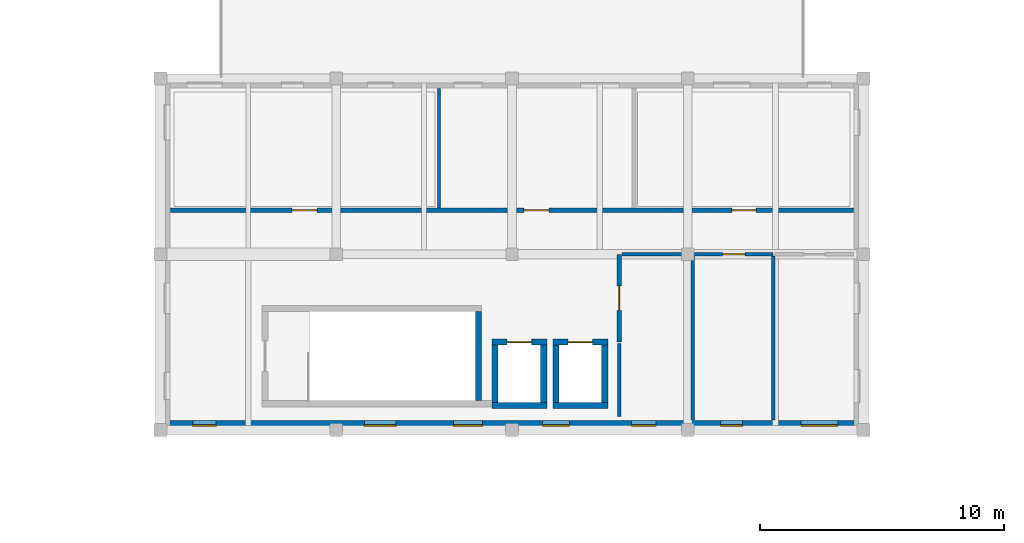
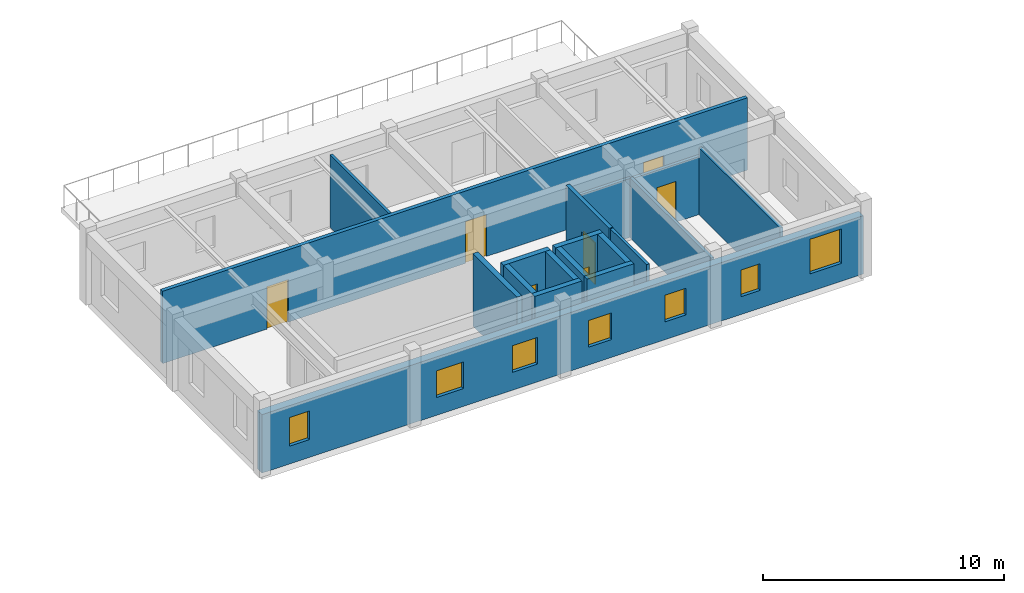
# One storey, part 4 of 12: 18 walls, 7 doors, 7 windows, 14 openings.
"""IFC4 building model written with IfcOpenShell, lengths in metres."""

import ifcopenshell
import ifcopenshell.guid

model = None  # the IFC model being written
_history = None  # IfcOwnerHistory: only IFC2X3 demands one
_inside = {}  # id of a spatial element -> (the spatial element, [elements in it])
_under = {}  # id of a project, library or spatial element -> (it, [spatial elements below it])
_declared = {}  # id of a project -> (the project, [libraries it declares])
_typed = {}  # id of a type object -> (the type object, [elements of that type])
_made_of = {}  # id of a material, layer set ... -> (it, [elements and type objects made of it])


def new_model(schema):
    """Start an empty IFC model of exactly this schema.

    Asked for "IFC4X3", IfcOpenShell would pick the latest addendum, in which some entities
    have other attributes; the version numbers below select the first issue.
    IFC2X3 requires an IfcOwnerHistory on every rooted entity: one is made here for all.
    """
    global model, _history
    if schema == "IFC4X3":
        model = ifcopenshell.file(schema_version=(4, 3, 0, 0))
    else:
        model = ifcopenshell.file(schema=schema)
    _inside.clear()
    _under.clear()
    _declared.clear()
    _typed.clear()
    _made_of.clear()
    _history = None
    if model.schema == "IFC2X3":
        org = make("IfcOrganization", Name="unknown")
        user = make(
            "IfcPersonAndOrganization",
            ThePerson=make("IfcPerson", FamilyName="unknown"),
            TheOrganization=org,
        )
        app = make(
            "IfcApplication",
            ApplicationDeveloper=org,
            Version="unknown",
            ApplicationFullName="unknown",
            ApplicationIdentifier="unknown",
        )
        _history = make(
            "IfcOwnerHistory",
            OwningUser=user,
            OwningApplication=app,
            ChangeAction="ADDED",
            CreationDate=0,
        )
    return model


def make(cls, **values):
    """One entity of the class cls with the attributes given. An attribute that is None is left unset."""
    return model.create_entity(
        cls, **{name: value for name, value in values.items() if value is not None}
    )


def rooted(cls, **values):
    """An entity with a GlobalId (a new one), such as an element, a storey or a relation."""
    return make(cls, GlobalId=ifcopenshell.guid.new(), OwnerHistory=_history, **values)


def si_unit(unit_type, name, prefix=None):
    """IfcSIUnit, for example si_unit("LENGTHUNIT", "METRE", prefix="MILLI")."""
    return make("IfcSIUnit", UnitType=unit_type, Prefix=prefix, Name=name)


def assignment(units):
    """IfcUnitAssignment: the units of a project."""
    return None if units is None else make("IfcUnitAssignment", Units=units)


def point(xyz):
    """IfcCartesianPoint."""
    return None if xyz is None else make("IfcCartesianPoint", Coordinates=xyz)


def direction(xyz):
    """IfcDirection."""
    return None if xyz is None else make("IfcDirection", DirectionRatios=xyz)


def frame(location, z_axis=None, x_axis=None):
    """IfcAxis2Placement3D, a coordinate frame: its origin and axes. An axis left out is left unset."""
    return make(
        "IfcAxis2Placement3D",
        Location=point(location),
        Axis=direction(z_axis),
        RefDirection=direction(x_axis),
    )


def frame_2d(location, x_axis=None):
    """IfcAxis2Placement2D, a coordinate frame in the plane: its origin and x axis."""
    return make(
        "IfcAxis2Placement2D", Location=point(location), RefDirection=direction(x_axis)
    )


def origin():
    """The frame at (0, 0, 0) with its axes left unset."""
    return frame((0.0, 0.0, 0.0))


def place(relative_to, where):
    """IfcLocalPlacement: puts the frame where relative to a parent placement (None: the world)."""
    return make(
        "IfcLocalPlacement", PlacementRelTo=relative_to, RelativePlacement=where
    )


def context(
    kind, dimensions, precision=None, world=None, true_north=None, identifier=None
):
    """IfcGeometricRepresentationContext, for example the 3D "Model" context."""
    return make(
        "IfcGeometricRepresentationContext",
        ContextIdentifier=identifier,
        ContextType=kind,
        CoordinateSpaceDimension=dimensions,
        Precision=precision,
        WorldCoordinateSystem=world,
        TrueNorth=true_north,
    )


def subcontext(parent, identifier, kind, view, scale=None):
    """IfcGeometricRepresentationSubContext, for example "Body" below "Model"."""
    return make(
        "IfcGeometricRepresentationSubContext",
        ContextIdentifier=identifier,
        ContextType=kind,
        ParentContext=parent,
        TargetScale=scale,
        TargetView=view,
    )


def project(units=None, contexts=None):
    """IfcProject with its units and contexts."""
    return rooted(
        "IfcProject",
        Name="project",
        RepresentationContexts=contexts,
        UnitsInContext=assignment(units),
    )


def spatial(cls, under=None, at=None, **own):
    """A site, building, storey or space (cls), placed at a placement, below another one or the project."""
    s = rooted(cls, ObjectPlacement=at, **own)
    if under is not None:
        _under.setdefault(under.id(), (under, []))[1].append(s)
    return s


def profile(cls, at=None, kind="AREA", **sizes):
    """A parametric profile (cls). Its sizes go by their IFC names, for example OverallWidth=200.0."""
    return make(cls, ProfileType=kind, Position=at, **sizes)


def rectangle(**sizes):
    """IfcRectangleProfileDef."""
    return profile("IfcRectangleProfileDef", **sizes)


def extrude(swept, where, along, depth):
    """IfcExtrudedAreaSolid: the profile swept, set in the frame where, extruded along a direction by depth."""
    return make(
        "IfcExtrudedAreaSolid",
        SweptArea=swept,
        Position=where,
        ExtrudedDirection=direction(along),
        Depth=depth,
    )


def shape(context_of_items, identifier, shape_type, items):
    """IfcShapeRepresentation: the items that make up one representation, for example the "Body"."""
    return make(
        "IfcShapeRepresentation",
        ContextOfItems=context_of_items,
        RepresentationIdentifier=identifier,
        RepresentationType=shape_type,
        Items=items,
    )


def material(Name=None, Category=None):
    """IfcMaterial."""
    return make("IfcMaterial", Name=Name, Category=Category)


def layer(
    of_material, thickness, ventilated=None, Name=None, Category=None, Priority=None
):
    """IfcMaterialLayer: one layer of a wall or slab, of a material (None: an air gap)."""
    return make(
        "IfcMaterialLayer",
        Material=of_material,
        LayerThickness=thickness,
        IsVentilated=ventilated,
        Name=Name,
        Category=Category,
        Priority=Priority,
    )


def layer_set(layers, Name=None):
    """IfcMaterialLayerSet."""
    return make("IfcMaterialLayerSet", MaterialLayers=layers, LayerSetName=Name)


def made_of(thing, what):
    """Note that an element or type object is made of a material, layer set ...; save() writes the relation."""
    if what is not None:
        _made_of.setdefault(what.id(), (what, []))[1].append(thing)
    return thing


def type_object(cls, material=None, **own):
    """A type object (cls), such as IfcWallType, which elements share."""
    return made_of(rooted(cls, **own), material)


def element(
    cls,
    number,
    at=None,
    inside=None,
    cuts=None,
    type_object=None,
    material=None,
    context=None,
    identifier="Body",
    shape_type=None,
    held_by="IfcProductDefinitionShape",
    body=None,
    shapes=None,
    **own,
):
    """One element of the class cls, such as IfcWall. Its Tag is "e" and its number.

    at: its placement. inside: the storey or other place that contains it. cuts: it is an
    opening in that element (IfcRelVoidsElement). A single representation is given by context,
    identifier, shape_type and body (its items); several are given by shapes. held_by: the class
    of the entity that holds the representations. save() writes the other relations.
    """
    e = rooted(cls, Tag="e%d" % number, ObjectPlacement=at, **own)
    if body is not None:
        shapes = [shape(context, identifier, shape_type, body)]
    if shapes is not None:
        e.Representation = make(held_by, Representations=shapes)
    if inside is not None:
        _inside.setdefault(inside.id(), (inside, []))[1].append(e)
    if cuts is not None:
        rooted(
            "IfcRelVoidsElement", RelatingBuildingElement=cuts, RelatedOpeningElement=e
        )
    if type_object is not None:
        _typed.setdefault(type_object.id(), (type_object, []))[1].append(e)
    return made_of(e, material)


def fill(opening, filler):
    """IfcRelFillsElement: the door or window that sits in an opening."""
    return rooted(
        "IfcRelFillsElement",
        RelatingOpeningElement=opening,
        RelatedBuildingElement=filler,
    )


def aggregate(whole, parts):
    """IfcRelAggregates: a whole, such as a stair, and the parts it consists of."""
    return rooted("IfcRelAggregates", RelatingObject=whole, RelatedObjects=parts)


def save(model, path):
    """Write the relations noted so far, then the file.

    IfcRelAggregates (storeys below a building ...), IfcRelContainedInSpatialStructure (elements
    in a storey), IfcRelDefinesByType, IfcRelAssociatesMaterial and IfcRelDeclares: one each for
    every whole, place, type object, material and project.
    """
    for whole, parts in _under.values():
        aggregate(whole, parts)
    for where, things in _inside.values():
        rooted(
            "IfcRelContainedInSpatialStructure",
            RelatedElements=things,
            RelatingStructure=where,
        )
    for kind, things in _typed.values():
        rooted("IfcRelDefinesByType", RelatedObjects=things, RelatingType=kind)
    for what, things in _made_of.values():
        rooted("IfcRelAssociatesMaterial", RelatedObjects=things, RelatingMaterial=what)
    for by, libraries in _declared.values():
        rooted("IfcRelDeclares", RelatingContext=by, RelatedDefinitions=libraries)
    model.write(path)


model = new_model("IFC4")

# Units and contexts
model_context = context("Model", 3, precision=1e-05, world=origin(), true_north=direction((0.0, 1.0)))
body_context = subcontext(model_context, "Body", "Model", "MODEL_VIEW")
ifc_project = project(units=[si_unit("LENGTHUNIT", "METRE"), si_unit("AREAUNIT", "SQUARE_METRE"), si_unit("VOLUMEUNIT", "CUBIC_METRE"), si_unit("PLANEANGLEUNIT", "RADIAN"), si_unit("MASSUNIT", "GRAM", prefix="KILO")], contexts=[model_context])

# Site, building, storey
site_placement = place(None, origin())
site = spatial("IfcSite", under=ifc_project, at=site_placement, CompositionType="ELEMENT")
building_placement = place(site_placement, origin())
building = spatial("IfcBuilding", under=site, at=building_placement, Name="Bramveld Media Centre", CompositionType="ELEMENT")
storey_placement = place(building_placement, frame((0.0, 0.0, 21.89990234375)))
storey = spatial("IfcBuildingStorey", under=building, at=storey_placement, Name="L05", CompositionType="ELEMENT", Elevation=21.89990234375)

# Walls
ifc_material_1 = material(Name="Concrete C40/50 stair & lift core wall", Category="concrete")
ifc_layer_1 = layer(ifc_material_1, 0.25)
ifc_layer_set_1 = layer_set([ifc_layer_1], Name="Concrete C40/50 stair & lift core wall")
wall_type_1 = type_object("IfcWallType", Name="CWALL-SHEAR-250", PredefinedType="SHEAR", material=ifc_layer_set_1)
wall_1_placement = place(storey_placement, frame((78.625, 91.60009765625, 0.0), z_axis=(0.0, 0.0, 1.0), x_axis=(0.0, 1.0, 0.0)))
element("IfcWall", 1, at=wall_1_placement, inside=storey, type_object=wall_type_1, Name="ST-07 L05 stair core shear wall E", PredefinedType="SHEAR", context=body_context, shape_type="SweptSolid", body=[
    extrude(rectangle(XDim=3.64990234375, YDim=0.25, at=frame_2d((1.824951171875, 0.0))), origin(), (0.0, 0.0, 1.0), 3.66015625),
])
wall_2_placement = place(storey_placement, frame((79.175048828125, 91.39990234375, 0.0), z_axis=(0.0, 0.0, 1.0), x_axis=(1.0, 0.0, 0.0)))
element("IfcWall", 2, at=wall_2_placement, inside=storey, type_object=wall_type_1, Name="PL-04 L05 lift shaft wall S", PredefinedType="SHEAR", context=body_context, shape_type="SweptSolid", body=[
    extrude(rectangle(XDim=2.25, YDim=0.25, at=frame_2d((1.125, 0.0))), origin(), (0.0, 0.0, 1.0), 3.66015625),
])

# Wall, opening, door
wall_3_placement = place(storey_placement, frame((81.425048828125, 94.0, 0.0), z_axis=(0.0, 0.0, 1.0), x_axis=(-1.0, 0.0, 0.0)))
wall_3 = element("IfcWall", 3, at=wall_3_placement, inside=storey, type_object=wall_type_1, Name="PL-04 L05 lift shaft wall N", PredefinedType="SHEAR", context=body_context, shape_type="SweptSolid", body=[
    extrude(rectangle(XDim=2.25, YDim=0.25, at=frame_2d((1.125, 0.0))), origin(), (0.0, 0.0, 1.0), 3.66015625),
])
opening_1_placement = place(wall_3_placement, frame((0.625, 0.0, 0.0)))
opening_1 = element("IfcOpeningElement", 4, at=opening_1_placement, cuts=wall_3, Name="Opening LD-02-04-L05", PredefinedType="OPENING", context=body_context, shape_type="SweptSolid", body=[
    extrude(rectangle(XDim=1.0, YDim=2.14990234375, at=frame_2d((0.5, 1.074951171875))), frame((0.0, 0.136962890625, 0.0), z_axis=(0.0, -1.0, 0.0), x_axis=(1.0, 0.0, 0.0)), (0.0, 0.0, 1.0), 0.27392578125),
])
ifc_material_2 = material(Name="Brushed stainless steel automatic fire-rated sliding lift landing door", Category="steel")
door_type_1 = type_object("IfcDoorType", Name="LD-TYPE-02", OperationType="SLIDING_TO_LEFT", PredefinedType="DOOR", material=ifc_material_2)
door_1_placement = place(opening_1_placement, origin())
door_1 = element("IfcDoor", 5, at=door_1_placement, inside=storey, type_object=door_type_1, Name="PL-04 L05 sliding lift landing door", OperationType="SLIDING_TO_LEFT", OverallHeight=2.14990234375, OverallWidth=1.0, PredefinedType="DOOR", context=body_context, shape_type="SweptSolid", body=[
    extrude(rectangle(XDim=1.0, YDim=2.14990234375, at=frame_2d((0.5, 1.074951171875))), frame((0.0, 0.02490234375, 0.0), z_axis=(0.0, -1.0, 0.0), x_axis=(1.0, 0.0, 0.0)), (0.0, 0.0, 1.0), 0.050048828125),
])
fill(opening_1, door_1)

# Walls
for number, where, z_axis, x_axis, name in (
    (6, (79.300048828125, 94.0, 0.0), (0.0, 0.0, 1.0), (0.0, -1.0, 0.0), "PL-04 L05 lift shaft wall W"),
    (7, (81.300048828125, 91.39990234375, 0.0), (0.0, 0.0, 1.0), (0.0, 1.0, 0.0), "PL-04 L05 lift shaft wall E"),
):
    element("IfcWall", number, at=place(storey_placement, frame(where, z_axis=z_axis, x_axis=x_axis)), inside=storey, type_object=wall_type_1, Name=name, PredefinedType="SHEAR", context=body_context, shape_type="SweptSolid", body=[
        extrude(rectangle(XDim=2.60009765625, YDim=0.25, at=frame_2d((1.300048828125, 0.0))), origin(), (0.0, 0.0, 1.0), 3.66015625),
    ])
wall_4_placement = place(storey_placement, frame((81.675048828125, 91.39990234375, 0.0), z_axis=(0.0, 0.0, 1.0), x_axis=(1.0, 0.0, 0.0)))
element("IfcWall", 8, at=wall_4_placement, inside=storey, type_object=wall_type_1, Name="PL-03 L05 lift shaft wall S", PredefinedType="SHEAR", context=body_context, shape_type="SweptSolid", body=[
    extrude(rectangle(XDim=2.25, YDim=0.25, at=frame_2d((1.125, 0.0))), origin(), (0.0, 0.0, 1.0), 3.66015625),
])

# Wall, opening, door
wall_5_placement = place(storey_placement, frame((83.925048828125, 94.0, 0.0), z_axis=(0.0, 0.0, 1.0), x_axis=(-1.0, 0.0, 0.0)))
wall_5 = element("IfcWall", 9, at=wall_5_placement, inside=storey, type_object=wall_type_1, Name="PL-03 L05 lift shaft wall N", PredefinedType="SHEAR", context=body_context, shape_type="SweptSolid", body=[
    extrude(rectangle(XDim=2.25, YDim=0.25, at=frame_2d((1.125, 0.0))), origin(), (0.0, 0.0, 1.0), 3.66015625),
])
opening_2_placement = place(wall_5_placement, frame((0.625, 0.0, 0.0)))
opening_2 = element("IfcOpeningElement", 10, at=opening_2_placement, cuts=wall_5, Name="Opening LD-02-03-L05", PredefinedType="OPENING", context=body_context, shape_type="SweptSolid", body=[
    extrude(rectangle(XDim=1.0, YDim=2.14990234375, at=frame_2d((0.5, 1.074951171875))), frame((0.0, 0.136962890625, 0.0), z_axis=(0.0, -1.0, 0.0), x_axis=(1.0, 0.0, 0.0)), (0.0, 0.0, 1.0), 0.27392578125),
])
door_2_placement = place(opening_2_placement, origin())
door_2 = element("IfcDoor", 11, at=door_2_placement, inside=storey, type_object=door_type_1, Name="PL-03 L05 sliding lift landing door", OperationType="SLIDING_TO_LEFT", OverallHeight=2.14990234375, OverallWidth=1.0, PredefinedType="DOOR", context=body_context, shape_type="SweptSolid", body=[
    extrude(rectangle(XDim=1.0, YDim=2.14990234375, at=frame_2d((0.5, 1.074951171875))), frame((0.0, 0.02490234375, 0.0), z_axis=(0.0, -1.0, 0.0), x_axis=(1.0, 0.0, 0.0)), (0.0, 0.0, 1.0), 0.050048828125),
])
fill(opening_2, door_2)

# Walls
for number, where, z_axis, x_axis, name in (
    (12, (81.800048828125, 94.0, 0.0), (0.0, 0.0, 1.0), (0.0, -1.0, 0.0), "PL-03 L05 lift shaft wall W"),
    (13, (83.800048828125, 91.39990234375, 0.0), (0.0, 0.0, 1.0), (0.0, 1.0, 0.0), "PL-03 L05 lift shaft wall E"),
):
    element("IfcWall", number, at=place(storey_placement, frame(where, z_axis=z_axis, x_axis=x_axis)), inside=storey, type_object=wall_type_1, Name=name, PredefinedType="SHEAR", context=body_context, shape_type="SweptSolid", body=[
        extrude(rectangle(XDim=2.60009765625, YDim=0.25, at=frame_2d((1.300048828125, 0.0))), origin(), (0.0, 0.0, 1.0), 3.66015625),
    ])

# Wall, openings, windows
ifc_material_3 = material(Name="Flemish red-brown clay facing brick cavity wall with calcium-silicate backing", Category="masonry")
ifc_layer_2 = layer(ifc_material_3, 0.3798828125)
ifc_layer_set_2 = layer_set([ifc_layer_2], Name="Flemish red-brown clay facing brick cavity wall with calcium-silicate backing")
wall_type_2 = type_object("IfcWallType", Name="EW-BRK-380", PredefinedType="SOLIDWALL", material=ifc_layer_set_2)
wall_6_placement = place(storey_placement, frame((94.39990234375, 90.590087890625, 0.0), z_axis=(0.0, 0.0, 1.0), x_axis=(-1.0, 0.0, 0.0)))
wall_6 = element("IfcWall", 14, at=wall_6_placement, inside=storey, type_object=wall_type_2, Name="V6 L05 S facing brick exterior wall", PredefinedType="SOLIDWALL", context=body_context, shape_type="SweptSolid", body=[
    extrude(rectangle(XDim=28.7998046875, YDim=0.3798828125, at=frame_2d((14.39990234375, 0.0))), origin(), (0.0, 0.0, 1.0), 2.955078125),
])
opening_3_placement = place(wall_6_placement, frame((1.050048828125, 0.0, 0.89990234375)))
opening_3 = element("IfcOpeningElement", 15, at=opening_3_placement, cuts=wall_6, Name="Opening W-24", PredefinedType="OPENING", context=body_context, shape_type="SweptSolid", body=[
    extrude(rectangle(XDim=1.5, YDim=1.75, at=frame_2d((0.75, 0.875))), frame((0.0, 0.201904296875, 0.0), z_axis=(0.0, -1.0, 0.0), x_axis=(1.0, 0.0, 0.0)), (0.0, 0.0, 1.0), 0.40380859375),
])
opening_4_placement = place(wall_6_placement, frame((4.949951171875, 0.0, 0.89990234375)))
opening_4 = element("IfcOpeningElement", 16, at=opening_4_placement, cuts=wall_6, Name="Opening W-01", PredefinedType="OPENING", context=body_context, shape_type="SweptSolid", body=[
    extrude(rectangle(XDim=0.89990234375, YDim=1.35009765625, at=frame_2d((0.449951171875, 0.675048828125))), frame((0.0, 0.201904296875, 0.0), z_axis=(0.0, -1.0, 0.0), x_axis=(1.0, 0.0, 0.0)), (0.0, 0.0, 1.0), 0.40380859375),
])
opening_5_placement = place(wall_6_placement, frame((8.5, 0.0, 0.89990234375)))
opening_5 = element("IfcOpeningElement", 17, at=opening_5_placement, cuts=wall_6, Name="Opening W-02", PredefinedType="OPENING", context=body_context, shape_type="SweptSolid", body=[
    extrude(rectangle(XDim=1.0, YDim=1.35009765625, at=frame_2d((0.5, 0.675048828125))), frame((0.0, 0.201904296875, 0.0), z_axis=(0.0, -1.0, 0.0), x_axis=(1.0, 0.0, 0.0)), (0.0, 0.0, 1.0), 0.40380859375),
])
opening_6_placement = place(wall_6_placement, frame((12.050048828125, 0.0, 0.89990234375)))
opening_6 = element("IfcOpeningElement", 18, at=opening_6_placement, cuts=wall_6, Name="Opening W-03", PredefinedType="OPENING", context=body_context, shape_type="SweptSolid", body=[
    extrude(rectangle(XDim=1.10009765625, YDim=1.35009765625, at=frame_2d((0.550048828125, 0.675048828125))), frame((0.0, 0.201904296875, 0.0), z_axis=(0.0, -1.0, 0.0), x_axis=(1.0, 0.0, 0.0)), (0.0, 0.0, 1.0), 0.40380859375),
])
opening_7_placement = place(wall_6_placement, frame((15.60009765625, 0.0, 0.89990234375)))
opening_7 = element("IfcOpeningElement", 19, at=opening_7_placement, cuts=wall_6, Name="Opening W-04", PredefinedType="OPENING", context=body_context, shape_type="SweptSolid", body=[
    extrude(rectangle(XDim=1.199951171875, YDim=1.35009765625, at=frame_2d((0.60009765625, 0.675048828125))), frame((0.0, 0.201904296875, 0.0), z_axis=(0.0, -1.0, 0.0), x_axis=(1.0, 0.0, 0.0)), (0.0, 0.0, 1.0), 0.40380859375),
])
opening_8_placement = place(wall_6_placement, frame((19.14990234375, 0.0, 0.89990234375)))
opening_8 = element("IfcOpeningElement", 20, at=opening_8_placement, cuts=wall_6, Name="Opening W-05", PredefinedType="OPENING", context=body_context, shape_type="SweptSolid", body=[
    extrude(rectangle(XDim=1.300048828125, YDim=1.35009765625, at=frame_2d((0.64990234375, 0.675048828125))), frame((0.0, 0.201904296875, 0.0), z_axis=(0.0, -1.0, 0.0), x_axis=(1.0, 0.0, 0.0)), (0.0, 0.0, 1.0), 0.40380859375),
])
opening_9_placement = place(wall_6_placement, frame((26.52490234375, 0.0, 0.89990234375)))
opening_9 = element("IfcOpeningElement", 21, at=opening_9_placement, cuts=wall_6, Name="Opening W-07", PredefinedType="OPENING", context=body_context, shape_type="SweptSolid", body=[
    extrude(rectangle(XDim=0.949951171875, YDim=1.449951171875, at=frame_2d((0.47509765625, 0.72509765625))), frame((0.0, 0.201904296875, 0.0), z_axis=(0.0, -1.0, 0.0), x_axis=(1.0, 0.0, 0.0)), (0.0, 0.0, 1.0), 0.40380859375),
])
ifc_material_4 = material(Name="Thermally broken anodized bronze aluminium frame with triple acoustic glazing", Category="aluminium")
window_type_1 = type_object("IfcWindowType", Name="WIN-FAC-01", PartitioningType="SINGLE_PANEL", PredefinedType="WINDOW", material=ifc_material_4)
window_1_placement = place(opening_4_placement, origin())
window_1 = element("IfcWindow", 22, at=window_1_placement, inside=storey, type_object=window_type_1, Name="V6 L05 S acoustic facade window", OverallHeight=1.35009765625, OverallWidth=0.89990234375, PartitioningType="SINGLE_PANEL", PredefinedType="WINDOW", context=body_context, shape_type="SweptSolid", body=[
    extrude(rectangle(XDim=0.89990234375, YDim=1.35009765625, at=frame_2d((0.449951171875, 0.675048828125))), frame((0.0, 0.030029296875, 0.0), z_axis=(0.0, -1.0, 0.0), x_axis=(1.0, 0.0, 0.0)), (0.0, 0.0, 1.0), 0.06005859375),
])
fill(opening_4, window_1)
ifc_material_5 = material(Name="Thermally broken anodized bronze aluminium frame with triple acoustic glazing", Category="aluminium")
window_type_2 = type_object("IfcWindowType", Name="WIN-FAC-02", PartitioningType="SINGLE_PANEL", PredefinedType="WINDOW", material=ifc_material_5)
window_2_placement = place(opening_5_placement, origin())
window_2 = element("IfcWindow", 23, at=window_2_placement, inside=storey, type_object=window_type_2, Name="V6 L05 S acoustic facade window", OverallHeight=1.35009765625, OverallWidth=1.0, PartitioningType="SINGLE_PANEL", PredefinedType="WINDOW", context=body_context, shape_type="SweptSolid", body=[
    extrude(rectangle(XDim=1.0, YDim=1.35009765625, at=frame_2d((0.5, 0.675048828125))), frame((0.0, 0.030029296875, 0.0), z_axis=(0.0, -1.0, 0.0), x_axis=(1.0, 0.0, 0.0)), (0.0, 0.0, 1.0), 0.06005859375),
])
fill(opening_5, window_2)
ifc_material_6 = material(Name="Thermally broken anodized bronze aluminium frame with triple acoustic glazing", Category="aluminium")
window_type_3 = type_object("IfcWindowType", Name="WIN-FAC-03", PartitioningType="SINGLE_PANEL", PredefinedType="WINDOW", material=ifc_material_6)
window_3_placement = place(opening_6_placement, origin())
window_3 = element("IfcWindow", 24, at=window_3_placement, inside=storey, type_object=window_type_3, Name="V6 L05 S acoustic facade window", OverallHeight=1.35009765625, OverallWidth=1.10009765625, PartitioningType="SINGLE_PANEL", PredefinedType="WINDOW", context=body_context, shape_type="SweptSolid", body=[
    extrude(rectangle(XDim=1.10009765625, YDim=1.35009765625, at=frame_2d((0.550048828125, 0.675048828125))), frame((0.0, 0.030029296875, 0.0), z_axis=(0.0, -1.0, 0.0), x_axis=(1.0, 0.0, 0.0)), (0.0, 0.0, 1.0), 0.06005859375),
])
fill(opening_6, window_3)
ifc_material_7 = material(Name="Thermally broken anodized bronze aluminium frame with triple acoustic glazing", Category="aluminium")
window_type_4 = type_object("IfcWindowType", Name="WIN-FAC-04", PartitioningType="SINGLE_PANEL", PredefinedType="WINDOW", material=ifc_material_7)
window_4_placement = place(opening_7_placement, origin())
window_4 = element("IfcWindow", 25, at=window_4_placement, inside=storey, type_object=window_type_4, Name="V6 L05 S acoustic facade window", OverallHeight=1.35009765625, OverallWidth=1.199951171875, PartitioningType="SINGLE_PANEL", PredefinedType="WINDOW", context=body_context, shape_type="SweptSolid", body=[
    extrude(rectangle(XDim=1.199951171875, YDim=1.35009765625, at=frame_2d((0.60009765625, 0.675048828125))), frame((0.0, 0.030029296875, 0.0), z_axis=(0.0, -1.0, 0.0), x_axis=(1.0, 0.0, 0.0)), (0.0, 0.0, 1.0), 0.06005859375),
])
fill(opening_7, window_4)
ifc_material_8 = material(Name="Thermally broken anodized bronze aluminium frame with triple acoustic glazing", Category="aluminium")
window_type_5 = type_object("IfcWindowType", Name="WIN-FAC-05", PartitioningType="SINGLE_PANEL", PredefinedType="WINDOW", material=ifc_material_8)
window_5_placement = place(opening_8_placement, origin())
window_5 = element("IfcWindow", 26, at=window_5_placement, inside=storey, type_object=window_type_5, Name="V6 L05 S acoustic facade window", OverallHeight=1.35009765625, OverallWidth=1.300048828125, PartitioningType="SINGLE_PANEL", PredefinedType="WINDOW", context=body_context, shape_type="SweptSolid", body=[
    extrude(rectangle(XDim=1.300048828125, YDim=1.35009765625, at=frame_2d((0.64990234375, 0.675048828125))), frame((0.0, 0.030029296875, 0.0), z_axis=(0.0, -1.0, 0.0), x_axis=(1.0, 0.0, 0.0)), (0.0, 0.0, 1.0), 0.06005859375),
])
fill(opening_8, window_5)
ifc_material_9 = material(Name="Thermally broken anodized bronze aluminium frame with triple acoustic glazing", Category="aluminium")
window_type_6 = type_object("IfcWindowType", Name="WIN-FAC-07", PartitioningType="SINGLE_PANEL", PredefinedType="WINDOW", material=ifc_material_9)
window_6_placement = place(opening_9_placement, origin())
window_6 = element("IfcWindow", 27, at=window_6_placement, inside=storey, type_object=window_type_6, Name="V6 L05 S acoustic facade window", OverallHeight=1.449951171875, OverallWidth=0.949951171875, PartitioningType="SINGLE_PANEL", PredefinedType="WINDOW", context=body_context, shape_type="SweptSolid", body=[
    extrude(rectangle(XDim=0.949951171875, YDim=1.449951171875, at=frame_2d((0.47509765625, 0.72509765625))), frame((0.0, 0.030029296875, 0.0), z_axis=(0.0, -1.0, 0.0), x_axis=(1.0, 0.0, 0.0)), (0.0, 0.0, 1.0), 0.06005859375),
])
fill(opening_9, window_6)
ifc_material_10 = material(Name="Thermally broken anodized bronze aluminium frame with triple acoustic glazing", Category="aluminium")
window_type_7 = type_object("IfcWindowType", Name="WIN-FAC-24", PartitioningType="SINGLE_PANEL", PredefinedType="WINDOW", material=ifc_material_10)
window_7_placement = place(opening_3_placement, origin())
window_7 = element("IfcWindow", 28, at=window_7_placement, inside=storey, type_object=window_type_7, Name="V6 L05 S acoustic facade window", OverallHeight=1.75, OverallWidth=1.5, PartitioningType="SINGLE_PANEL", PredefinedType="WINDOW", context=body_context, shape_type="SweptSolid", body=[
    extrude(rectangle(XDim=1.5, YDim=1.75, at=frame_2d((0.75, 0.875))), frame((0.0, 0.030029296875, 0.0), z_axis=(0.0, -1.0, 0.0), x_axis=(1.0, 0.0, 0.0)), (0.0, 0.0, 1.0), 0.06005859375),
])
fill(opening_3, window_7)

# Wall, openings, doors
ifc_material_11 = material(Name="Fire-rated twin-frame gypsum corridor wall", Category="gypsum")
ifc_layer_3 = layer(ifc_material_11, 0.179931640625)
ifc_layer_set_3 = layer_set([ifc_layer_3], Name="Fire-rated twin-frame gypsum corridor wall")
wall_type_3 = type_object("IfcWallType", Name="IW-FIRE-180", PredefinedType="PARTITIONING", material=ifc_layer_set_3)
wall_7_placement = place(storey_placement, frame((66.0, 99.39990234375, 0.0), z_axis=(0.0, 0.0, 1.0), x_axis=(1.0, 0.0, 0.0)))
wall_7 = element("IfcWall", 29, at=wall_7_placement, inside=storey, type_object=wall_type_3, Name="Exhibition Spine Corridor L05 partition wall", PredefinedType="PARTITIONING", context=body_context, shape_type="SweptSolid", body=[
    extrude(rectangle(XDim=28.0, YDim=0.179931640625, at=frame_2d((14.0, 0.0))), origin(), (0.0, 0.0, 1.0), 3.66015625),
])
opening_10_placement = place(wall_7_placement, frame((4.97998046875, 0.0, 0.0)))
opening_10 = element("IfcOpeningElement", 30, at=opening_10_placement, cuts=wall_7, Name="Opening D-05-193", PredefinedType="OPENING", context=body_context, shape_type="SweptSolid", body=[
    extrude(rectangle(XDim=1.0400390625, YDim=2.14990234375, at=frame_2d((0.52001953125, 1.074951171875))), frame((0.0, 0.10205078125, 0.0), z_axis=(0.0, -1.0, 0.0), x_axis=(1.0, 0.0, 0.0)), (0.0, 0.0, 1.0), 0.203857421875),
])
opening_11_placement = place(wall_7_placement, frame((14.489990234375, 0.0, 0.0)))
opening_11 = element("IfcOpeningElement", 31, at=opening_11_placement, cuts=wall_7, Name="Opening D-05-194", PredefinedType="OPENING", context=body_context, shape_type="SweptSolid", body=[
    extrude(rectangle(XDim=1.02001953125, YDim=2.1201171875, at=frame_2d((0.510009765625, 1.06005859375))), frame((0.0, 0.10205078125, 0.0), z_axis=(0.0, -1.0, 0.0), x_axis=(1.0, 0.0, 0.0)), (0.0, 0.0, 1.0), 0.203857421875),
])
opening_12_placement = place(wall_7_placement, frame((23.010009765625, 0.0, 0.0)))
opening_12 = element("IfcOpeningElement", 32, at=opening_12_placement, cuts=wall_7, Name="Opening D-05-195", PredefinedType="OPENING", context=body_context, shape_type="SweptSolid", body=[
    extrude(rectangle(XDim=0.97998046875, YDim=2.1201171875, at=frame_2d((0.489990234375, 1.06005859375))), frame((0.0, 0.10205078125, 0.0), z_axis=(0.0, -1.0, 0.0), x_axis=(1.0, 0.0, 0.0)), (0.0, 0.0, 1.0), 0.203857421875),
])
ifc_material_12 = material(Name="Solid-core European oak acoustic timber leaf in steel frame", Category="steel")
door_type_2 = type_object("IfcDoorType", Name="DR-RM-0980", OperationType="NOTDEFINED", PredefinedType="DOOR", material=ifc_material_12)
door_3_placement = place(opening_12_placement, origin())
door_3 = element("IfcDoor", 33, at=door_3_placement, inside=storey, type_object=door_type_2, Name="Visiting Sound Artist Studio entrance door", OperationType="SINGLE_SWING_LEFT", OverallHeight=2.1201171875, OverallWidth=0.97998046875, PredefinedType="DOOR", context=body_context, shape_type="SweptSolid", body=[
    extrude(rectangle(XDim=0.97998046875, YDim=2.1201171875, at=frame_2d((0.489990234375, 1.06005859375))), frame((0.0, 0.02490234375, 0.0), z_axis=(0.0, -1.0, 0.0), x_axis=(1.0, 0.0, 0.0)), (0.0, 0.0, 1.0), 0.050048828125),
])
fill(opening_12, door_3)
ifc_material_13 = material(Name="Solid-core European oak acoustic timber leaf in steel frame", Category="steel")
door_type_3 = type_object("IfcDoorType", Name="DR-RM-1020", OperationType="NOTDEFINED", PredefinedType="DOOR", material=ifc_material_13)
door_4_placement = place(opening_11_placement, origin())
door_4 = element("IfcDoor", 34, at=door_4_placement, inside=storey, type_object=door_type_3, Name="Sound Archive Listening Studio entrance door", OperationType="SINGLE_SWING_RIGHT", OverallHeight=2.1201171875, OverallWidth=1.02001953125, PredefinedType="DOOR", context=body_context, shape_type="SweptSolid", body=[
    extrude(rectangle(XDim=1.02001953125, YDim=2.1201171875, at=frame_2d((0.510009765625, 1.06005859375))), frame((0.0, 0.02490234375, 0.0), z_axis=(0.0, -1.0, 0.0), x_axis=(1.0, 0.0, 0.0)), (0.0, 0.0, 1.0), 0.050048828125),
])
fill(opening_11, door_4)
ifc_material_14 = material(Name="Solid-core European oak acoustic timber leaf in steel frame", Category="steel")
door_type_4 = type_object("IfcDoorType", Name="DR-RM-1040", OperationType="NOTDEFINED", PredefinedType="DOOR", material=ifc_material_14)
door_5_placement = place(opening_10_placement, origin())
door_5 = element("IfcDoor", 35, at=door_5_placement, inside=storey, type_object=door_type_4, Name="Sound Preservation & Archival Studio entrance door", OperationType="SINGLE_SWING_LEFT", OverallHeight=2.14990234375, OverallWidth=1.0400390625, PredefinedType="DOOR", context=body_context, shape_type="SweptSolid", body=[
    extrude(rectangle(XDim=1.0400390625, YDim=2.14990234375, at=frame_2d((0.52001953125, 1.074951171875))), frame((0.0, 0.02490234375, 0.0), z_axis=(0.0, -1.0, 0.0), x_axis=(1.0, 0.0, 0.0)), (0.0, 0.0, 1.0), 0.050048828125),
])
fill(opening_10, door_5)

# Wall, opening, door
wall_8_placement = place(storey_placement, frame((84.39990234375, 94.0, 0.0), z_axis=(0.0, 0.0, 1.0), x_axis=(0.0, 1.0, 0.0)))
wall_8 = element("IfcWall", 36, at=wall_8_placement, inside=storey, type_object=wall_type_3, Name="Exhibition Lift Lobby L05 partition wall", PredefinedType="PARTITIONING", context=body_context, shape_type="SweptSolid", body=[
    extrude(rectangle(XDim=3.60009765625, YDim=0.179931640625, at=frame_2d((1.800048828125, 0.0))), origin(), (0.0, 0.0, 1.0), 3.66015625),
])
opening_13_placement = place(wall_8_placement, frame((1.300048828125, 0.0, 0.0)))
opening_13 = element("IfcOpeningElement", 37, at=opening_13_placement, cuts=wall_8, Name="Opening D-05-190", PredefinedType="OPENING", context=body_context, shape_type="SweptSolid", body=[
    extrude(rectangle(XDim=1.0, YDim=2.10009765625, at=frame_2d((0.5, 1.050048828125))), frame((0.0, 0.10205078125, 0.0), z_axis=(0.0, -1.0, 0.0), x_axis=(1.0, 0.0, 0.0)), (0.0, 0.0, 1.0), 0.203857421875),
])
ifc_material_15 = material(Name="Solid-core European oak acoustic timber leaf in steel frame", Category="steel")
door_type_5 = type_object("IfcDoorType", Name="DR-WC-PMR-1000", OperationType="NOTDEFINED", PredefinedType="DOOR", material=ifc_material_15)
door_6_placement = place(opening_13_placement, origin())
door_6 = element("IfcDoor", 38, at=door_6_placement, inside=storey, type_object=door_type_5, Name="Accessible WC entrance door", OperationType="SINGLE_SWING_RIGHT", OverallHeight=2.10009765625, OverallWidth=1.0, PredefinedType="DOOR", context=body_context, shape_type="SweptSolid", body=[
    extrude(rectangle(XDim=1.0, YDim=2.10009765625, at=frame_2d((0.5, 1.050048828125))), frame((0.0, 0.02490234375, 0.0), z_axis=(0.0, -1.0, 0.0), x_axis=(1.0, 0.0, 0.0)), (0.0, 0.0, 1.0), 0.050048828125),
])
fill(opening_13, door_6)

# Walls
ifc_material_16 = material(Name="Lightweight acoustic stud partition", Category="gypsum")
ifc_layer_4 = layer(ifc_material_16, 0.125)
ifc_layer_set_4 = layer_set([ifc_layer_4], Name="Lightweight acoustic stud partition")
wall_type_4 = type_object("IfcWallType", Name="IW-PART-125", PredefinedType="PARTITIONING", material=ifc_layer_set_4)
wall_9_placement = place(storey_placement, frame((77.0, 99.5, 0.0), z_axis=(0.0, 0.0, 1.0), x_axis=(0.0, 1.0, 0.0)))
element("IfcWall", 39, at=wall_9_placement, inside=storey, type_object=wall_type_4, Name="Sound Preservation & Archival Studio partition wall", PredefinedType="PARTITIONING", context=body_context, shape_type="SweptSolid", body=[
    extrude(rectangle(XDim=4.89990234375, YDim=0.125, at=frame_2d((2.449951171875, 0.0))), origin(), (0.0, 0.0, 1.0), 3.66015625),
])
ifc_material_17 = material(Name="Moisture-resistant cement-board sanitary partition", Category="gypsum")
ifc_layer_5 = layer(ifc_material_17, 0.139892578125)
ifc_layer_set_5 = layer_set([ifc_layer_5], Name="Moisture-resistant cement-board sanitary partition")
wall_type_5 = type_object("IfcWallType", Name="IW-WET-140", PredefinedType="PARTITIONING", material=ifc_layer_set_5)
wall_10_placement = place(storey_placement, frame((84.5, 97.60009765625, 0.0), z_axis=(0.0, 0.0, 1.0), x_axis=(1.0, 0.0, 0.0)))
element("IfcWall", 40, at=wall_10_placement, inside=storey, type_object=wall_type_5, Name="Accessible WC partition wall", PredefinedType="PARTITIONING", context=body_context, shape_type="SweptSolid", body=[
    extrude(rectangle(XDim=2.89990234375, YDim=0.139892578125, at=frame_2d((1.449951171875, 0.0))), origin(), (0.0, 0.0, 1.0), 2.985107421875),
])
wall_11_placement = place(storey_placement, frame((87.39990234375, 90.800048828125, 0.0), z_axis=(0.0, 0.0, 1.0), x_axis=(0.0, 1.0, 0.0)))
element("IfcWall", 41, at=wall_11_placement, inside=storey, type_object=wall_type_5, Name="Accessible WC partition wall", PredefinedType="PARTITIONING", context=body_context, shape_type="SweptSolid", body=[
    extrude(rectangle(XDim=6.719970703125, YDim=0.139892578125, at=frame_2d((3.35986328125, 0.0))), origin(), (0.0, 0.0, 1.0), 3.03515625),
])

# Wall, opening, door
wall_12_placement = place(storey_placement, frame((87.47998046875, 97.60009765625, 0.0), z_axis=(0.0, 0.0, 1.0), x_axis=(1.0, 0.0, 0.0)))
wall_12 = element("IfcWall", 42, at=wall_12_placement, inside=storey, type_object=wall_type_5, Name="Male WC partition wall", PredefinedType="PARTITIONING", context=body_context, shape_type="SweptSolid", body=[
    extrude(rectangle(XDim=3.219970703125, YDim=0.139892578125, at=frame_2d((1.60986328125, 0.0))), origin(), (0.0, 0.0, 1.0), 2.93505859375),
])
opening_14_placement = place(wall_12_placement, frame((1.155029296875, 0.0, 0.0)))
opening_14 = element("IfcOpeningElement", 43, at=opening_14_placement, cuts=wall_12, Name="Opening D-05-191", PredefinedType="OPENING", context=body_context, shape_type="SweptSolid", body=[
    extrude(rectangle(XDim=0.909912109375, YDim=2.06005859375, at=frame_2d((0.455078125, 1.030029296875))), frame((0.0, 0.08203125, 0.0), z_axis=(0.0, -1.0, 0.0), x_axis=(1.0, 0.0, 0.0)), (0.0, 0.0, 1.0), 0.163818359375),
])
ifc_material_18 = material(Name="Solid-core European oak acoustic timber leaf in steel frame", Category="steel")
door_type_6 = type_object("IfcDoorType", Name="DR-WC-0910", OperationType="NOTDEFINED", PredefinedType="DOOR", material=ifc_material_18)
door_7_placement = place(opening_14_placement, origin())
door_7 = element("IfcDoor", 44, at=door_7_placement, inside=storey, type_object=door_type_6, Name="Male WC entrance door", OperationType="SINGLE_SWING_LEFT", OverallHeight=2.06005859375, OverallWidth=0.909912109375, PredefinedType="DOOR", context=body_context, shape_type="SweptSolid", body=[
    extrude(rectangle(XDim=0.909912109375, YDim=2.06005859375, at=frame_2d((0.455078125, 1.030029296875))), frame((0.0, 0.02490234375, 0.0), z_axis=(0.0, -1.0, 0.0), x_axis=(1.0, 0.0, 0.0)), (0.0, 0.0, 1.0), 0.050048828125),
])
fill(opening_14, door_7)

# Walls
wall_13_placement = place(storey_placement, frame((90.699951171875, 90.800048828125, 0.0), z_axis=(0.0, 0.0, 1.0), x_axis=(0.0, 1.0, 0.0)))
element("IfcWall", 45, at=wall_13_placement, inside=storey, type_object=wall_type_5, Name="Male WC partition wall", PredefinedType="PARTITIONING", context=body_context, shape_type="SweptSolid", body=[
    extrude(rectangle(XDim=6.719970703125, YDim=0.139892578125, at=frame_2d((3.35986328125, 0.0))), origin(), (0.0, 0.0, 1.0), 3.405029296875),
])
wall_14_placement = place(storey_placement, frame((84.39990234375, 90.949951171875, 0.0), z_axis=(0.0, 0.0, 1.0), x_axis=(0.0, 1.0, 0.0)))
element("IfcWall", 46, at=wall_14_placement, inside=storey, type_object=wall_type_5, Name="Accessible WC partition wall", PredefinedType="PARTITIONING", context=body_context, shape_type="SweptSolid", body=[
    extrude(rectangle(XDim=3.0, YDim=0.139892578125, at=frame_2d((1.5, 0.0))), origin(), (0.0, 0.0, 1.0), 3.66015625),
])

save(model, "model.ifc")
